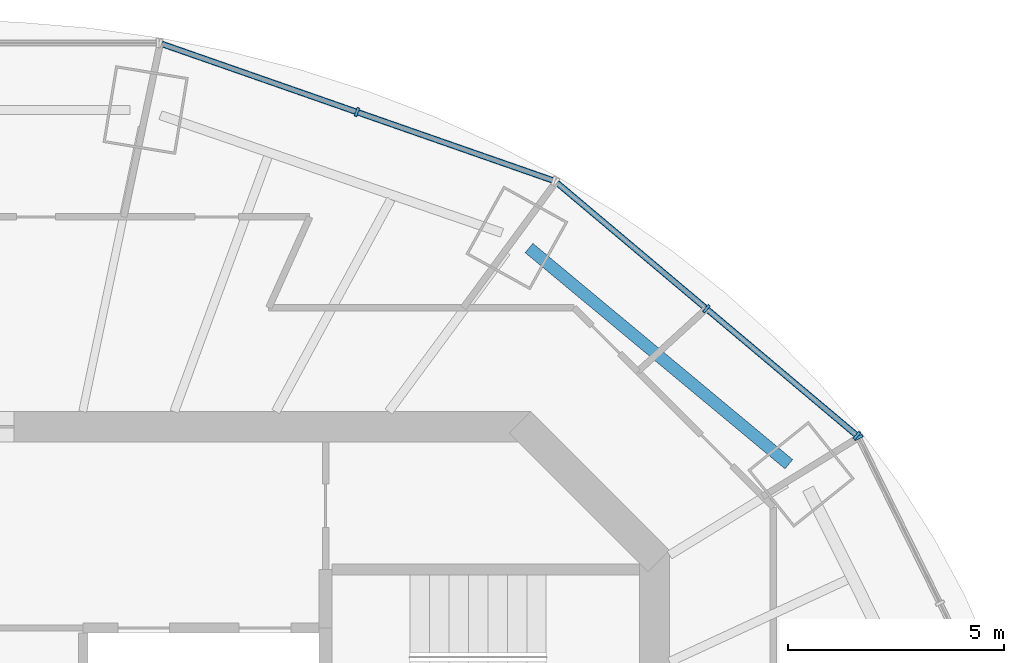
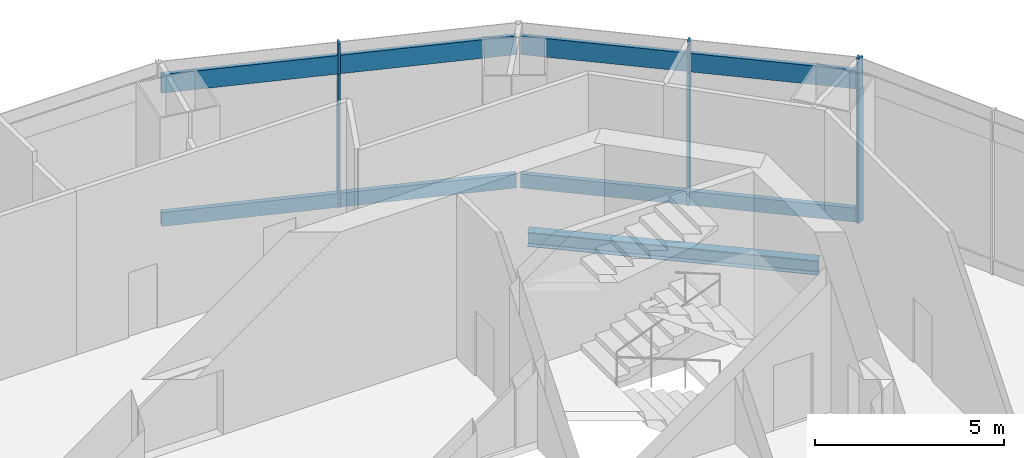
# One storey, part 6 of 13: 12 members, 1 beam, 6 elements without a shape of their own.
"""IFC4 building model written with IfcOpenShell, lengths in metres."""

from ifc_helpers import new_model, si_unit, direction, frame, origin, origin_2d, place, context, subcontext, project, spatial, rectangle, i_section, extrude, material, material_profile, profile_set, type_object, element, aggregate, save


model = new_model("IFC4")

# Units and contexts
model_context = context("Model", 3, precision=1e-05, world=origin(), true_north=direction((0.0, 1.0)))
body_context = subcontext(model_context, "Body", "Model", "MODEL_VIEW")
ifc_project = project(units=[si_unit("LENGTHUNIT", "METRE"), si_unit("AREAUNIT", "SQUARE_METRE"), si_unit("VOLUMEUNIT", "CUBIC_METRE"), si_unit("PLANEANGLEUNIT", "RADIAN"), si_unit("MASSUNIT", "GRAM", prefix="KILO")], contexts=[model_context])

# Site, building, storey
site_placement = place(None, origin())
site = spatial("IfcSite", under=ifc_project, at=site_placement, CompositionType="ELEMENT")
building_placement = place(site_placement, origin())
building = spatial("IfcBuilding", under=site, at=building_placement, Name="Marenthal Gate Tower", CompositionType="ELEMENT")
storey_placement = place(building_placement, frame((0.0, 0.0, 401.949951171875)))
storey = spatial("IfcBuildingStorey", under=building, at=storey_placement, Name="L91", CompositionType="ELEMENT", Elevation=401.949951171875)

# Curtain wall, member
ifc_material_1 = material(Name="Aluminium and glass", Category="aluminium")
curtain_wall_type_1 = type_object("IfcCurtainWallType", Name="Curtain wall crown clad", PredefinedType="NOTDEFINED", material=ifc_material_1)
curtain_wall_1_placement = place(storey_placement, origin())
curtain_wall_1 = element("IfcCurtainWall", 1, at=curtain_wall_1_placement, inside=storey, type_object=curtain_wall_type_1, Name="Curtain wall L91 bay 1 head band", PredefinedType="NOTDEFINED")
ifc_material_2 = material(Name="Aluminium", Category="aluminium")
ifc_material_profile_1 = material_profile(ifc_material_2, rectangle(XDim=0.199951171875, YDim=0.06005859375, at=origin_2d()), Name="60x200 aluminium mullion")
ifc_profile_set_1 = profile_set([ifc_material_profile_1], Name="Aluminium")
member_type_1 = type_object("IfcMemberType", Name="Mullion 60x200 crown clad", PredefinedType="MULLION", material=ifc_profile_set_1)
member_1_placement = place(storey_placement, frame((20.7158203125, 12.751220703125, 4.300048828125), z_axis=(0.0, 0.0, 1.0), x_axis=(-0.897385793576, -0.441246798842, 0.0)))
member_1 = element("IfcMember", 2, at=member_1_placement, type_object=member_type_1, Name="Mullion L91 bay 1.3", PredefinedType="MULLION", context=body_context, shape_type="SweptSolid", body=[
    extrude(rectangle(XDim=0.199951171875, YDim=0.06005859375, at=origin_2d()), origin(), (0.0, 0.0, 1.0), 1.0),
])
aggregate(curtain_wall_1, [member_1])

# Curtain wall, members
curtain_wall_2_placement = place(storey_placement, origin())
curtain_wall_2 = element("IfcCurtainWall", 3, at=curtain_wall_2_placement, inside=storey, type_object=curtain_wall_type_1, Name="Curtain wall L91 bay 2 head band", PredefinedType="NOTDEFINED")
member_2_placement = place(storey_placement, frame((20.6796875, 12.79736328125, 4.300048828125), z_axis=(0.0, 0.0, 1.0), x_axis=(-0.644265226944, -0.764802142616, 0.0)))
member_2 = element("IfcMember", 4, at=member_2_placement, type_object=member_type_1, Name="Mullion L91 bay 2.1", PredefinedType="MULLION", context=body_context, shape_type="SweptSolid", body=[
    extrude(rectangle(XDim=0.199951171875, YDim=0.06005859375, at=origin_2d()), origin(), (0.0, 0.0, 1.0), 1.0),
])
member_3_placement = place(storey_placement, frame((17.201416015625, 15.7275390625, 4.300048828125), z_axis=(0.0, 0.0, 1.0), x_axis=(-0.644265226944, -0.764802142616, 0.0)))
member_3 = element("IfcMember", 5, at=member_3_placement, type_object=member_type_1, Name="Mullion L91 bay 2.2", PredefinedType="MULLION", context=body_context, shape_type="SweptSolid", body=[
    extrude(rectangle(XDim=0.199951171875, YDim=0.06005859375, at=origin_2d()), origin(), (0.0, 0.0, 1.0), 1.0),
])

# Curtain wall, member
curtain_wall_3_placement = place(storey_placement, origin())
curtain_wall_3 = element("IfcCurtainWall", 6, at=curtain_wall_3_placement, inside=storey, type_object=curtain_wall_type_1, Name="Curtain wall L91 bay 3 head band", PredefinedType="NOTDEFINED")
member_4_placement = place(storey_placement, frame((9.1259765625, 20.27294921875, 4.300048828125), z_axis=(0.0, 0.0, 1.0), x_axis=(-0.329453888639, -0.944171666203, 0.0)))
member_4 = element("IfcMember", 7, at=member_4_placement, type_object=member_type_1, Name="Mullion L91 bay 3.2", PredefinedType="MULLION", context=body_context, shape_type="SweptSolid", body=[
    extrude(rectangle(XDim=0.199951171875, YDim=0.06005859375, at=origin_2d()), origin(), (0.0, 0.0, 1.0), 1.0),
])

ifc_material_3 = material(Name="Aluminium and glass", Category="aluminium")
curtain_wall_type_2 = type_object("IfcCurtainWallType", Name="Curtain wall observation", PredefinedType="NOTDEFINED", material=ifc_material_3)
curtain_wall_4_placement = place(storey_placement, origin())
curtain_wall_4 = element("IfcCurtainWall", 8, at=curtain_wall_4_placement, inside=storey, type_object=curtain_wall_type_2, Name="Curtain wall L91 bay 1", PredefinedType="NOTDEFINED")
ifc_material_4 = material(Name="Aluminium", Category="aluminium")
ifc_material_profile_2 = material_profile(ifc_material_4, rectangle(XDim=0.219970703125, YDim=0.070068359375, at=origin_2d()), Name="70x220 aluminium mullion")
ifc_profile_set_2 = profile_set([ifc_material_profile_2], Name="Aluminium")
member_type_2 = type_object("IfcMemberType", Name="Mullion 70x220 observation", PredefinedType="MULLION", material=ifc_profile_set_2)
member_5_placement = place(storey_placement, frame((20.7158203125, 12.751220703125, 0.0), z_axis=(0.0, 0.0, 1.0), x_axis=(-0.897385793576, -0.441246798842, 0.0)))
member_5 = element("IfcMember", 9, at=member_5_placement, type_object=member_type_2, Name="Mullion L91 bay 1.3", PredefinedType="MULLION", context=body_context, shape_type="SweptSolid", body=[
    extrude(rectangle(XDim=0.219970703125, YDim=0.070068359375, at=origin_2d()), origin(), (0.0, 0.0, 1.0), 4.300048828125),
])
aggregate(curtain_wall_4, [member_5])

# Curtain wall, members
curtain_wall_5_placement = place(storey_placement, origin())
curtain_wall_5 = element("IfcCurtainWall", 10, at=curtain_wall_5_placement, inside=storey, type_object=curtain_wall_type_2, Name="Curtain wall L91 bay 2", PredefinedType="NOTDEFINED")
member_6_placement = place(storey_placement, frame((20.6796875, 12.79736328125, 0.0), z_axis=(0.0, 0.0, 1.0), x_axis=(-0.644265226944, -0.764802142616, 0.0)))
member_6 = element("IfcMember", 11, at=member_6_placement, type_object=member_type_2, Name="Mullion L91 bay 2.1", PredefinedType="MULLION", context=body_context, shape_type="SweptSolid", body=[
    extrude(rectangle(XDim=0.219970703125, YDim=0.070068359375, at=origin_2d()), origin(), (0.0, 0.0, 1.0), 4.300048828125),
])
member_7_placement = place(storey_placement, frame((17.201416015625, 15.7275390625, 0.0), z_axis=(0.0, 0.0, 1.0), x_axis=(-0.644265226944, -0.764802142616, 0.0)))
member_7 = element("IfcMember", 12, at=member_7_placement, type_object=member_type_2, Name="Mullion L91 bay 2.2", PredefinedType="MULLION", context=body_context, shape_type="SweptSolid", body=[
    extrude(rectangle(XDim=0.219970703125, YDim=0.070068359375, at=origin_2d()), origin(), (0.0, 0.0, 1.0), 4.300048828125),
])

# Curtain wall, member
curtain_wall_6_placement = place(storey_placement, origin())
curtain_wall_6 = element("IfcCurtainWall", 13, at=curtain_wall_6_placement, inside=storey, type_object=curtain_wall_type_2, Name="Curtain wall L91 bay 3", PredefinedType="NOTDEFINED")
member_8_placement = place(storey_placement, frame((9.1259765625, 20.27294921875, 0.0), z_axis=(0.0, 0.0, 1.0), x_axis=(-0.329453888639, -0.944171666203, 0.0)))
member_8 = element("IfcMember", 14, at=member_8_placement, type_object=member_type_2, Name="Mullion L91 bay 3.2", PredefinedType="MULLION", context=body_context, shape_type="SweptSolid", body=[
    extrude(rectangle(XDim=0.219970703125, YDim=0.070068359375, at=origin_2d()), origin(), (0.0, 0.0, 1.0), 4.300048828125),
])

# Member
ifc_material_5 = material(Name="Aluminium", Category="aluminium")
ifc_material_profile_3 = material_profile(ifc_material_5, rectangle(XDim=0.1201171875, YDim=0.60009765625, at=origin_2d()), Name="120x600 aluminium transom")
ifc_profile_set_3 = profile_set([ifc_material_profile_3], Name="Aluminium")
member_type_3 = type_object("IfcMemberType", Name="Transom 120x600 crown clad", PredefinedType="USERDEFINED", material=ifc_profile_set_3)
member_9_placement = place(storey_placement, frame((20.65673828125, 12.816650390625, 4.60009765625), z_axis=(-0.764788567143, 0.644281341937, 0.0), x_axis=(-0.644281341937, -0.764788567143, 0.0)))
member_9 = element("IfcMember", 15, at=member_9_placement, type_object=member_type_3, Name="Transom L91 bay 2", ObjectType="TRANSOM", PredefinedType="USERDEFINED", context=body_context, shape_type="SweptSolid", body=[
    extrude(rectangle(XDim=0.1201171875, YDim=0.60009765625, at=origin_2d()), origin(), (0.0, 0.0, 1.0), 9.03564453125),
])

aggregate(curtain_wall_2, [member_2, member_3, member_9])

member_10_placement = place(storey_placement, frame((13.643798828125, 18.696533203125, 4.60009765625), z_axis=(-0.944174901713, 0.329444615945, 0.0), x_axis=(-0.329444615945, -0.944174901713, 0.0)))
member_10 = element("IfcMember", 16, at=member_10_placement, type_object=member_type_3, Name="Transom L91 bay 3", ObjectType="TRANSOM", PredefinedType="USERDEFINED", context=body_context, shape_type="SweptSolid", body=[
    extrude(rectangle(XDim=0.1201171875, YDim=0.60009765625, at=origin_2d()), origin(), (0.0, 0.0, 1.0), 9.570068359375),
])

aggregate(curtain_wall_3, [member_4, member_10])

ifc_material_6 = material(Name="Aluminium", Category="aluminium")
ifc_material_profile_4 = material_profile(ifc_material_6, rectangle(XDim=0.139892578125, YDim=0.449951171875, at=origin_2d()), Name="140x450 aluminium transom")
ifc_profile_set_4 = profile_set([ifc_material_profile_4], Name="Aluminium")
member_type_4 = type_object("IfcMemberType", Name="Transom 140x450 observation", PredefinedType="USERDEFINED", material=ifc_profile_set_4)
member_11_placement = place(storey_placement, frame((20.653076171875, 12.820068359375, 0.22509765625), z_axis=(-0.764811585379, 0.644254017349, 0.0), x_axis=(-0.644254017349, -0.764811585379, 0.0)))
member_11 = element("IfcMember", 17, at=member_11_placement, type_object=member_type_4, Name="Transom L91 bay 2", ObjectType="TRANSOM", PredefinedType="USERDEFINED", context=body_context, shape_type="SweptSolid", body=[
    extrude(rectangle(XDim=0.139892578125, YDim=0.449951171875, at=origin_2d()), origin(), (0.0, 0.0, 1.0), 9.02587890625),
])

aggregate(curtain_wall_5, [member_6, member_7, member_11])

member_12_placement = place(storey_placement, frame((13.638916015625, 18.6982421875, 0.22509765625), z_axis=(-0.944167299887, 0.329466401662, 0.0), x_axis=(-0.329466401662, -0.944167299887, 0.0)))
member_12 = element("IfcMember", 18, at=member_12_placement, type_object=member_type_4, Name="Transom L91 bay 3", ObjectType="TRANSOM", PredefinedType="USERDEFINED", context=body_context, shape_type="SweptSolid", body=[
    extrude(rectangle(XDim=0.139892578125, YDim=0.449951171875, at=origin_2d()), origin(), (0.0, 0.0, 1.0), 9.559814453125),
])

aggregate(curtain_wall_6, [member_8, member_12])

# Beam
ifc_material_7 = material(Name="Steel S355", Category="steel")
ifc_material_profile_5 = material_profile(ifc_material_7, i_section(OverallWidth=0.279052734375, OverallDepth=0.4619140625, WebThickness=0.0107421875, FlangeThickness=0.017333984375, FilletRadius=0.010009765625, at=origin_2d()), Name="W460X113")
ifc_profile_set_5 = profile_set([ifc_material_profile_5], Name="Steel S355")
beam_type = type_object("IfcBeamType", Name="W460X113 beam", PredefinedType="BEAM", material=ifc_profile_set_5)
beam_placement = place(storey_placement, frame((19.106689453125, 12.13525390625, -0.48095703125), z_axis=(-0.768754019675, 0.63954457017, 0.0), x_axis=(-0.63954457017, -0.768754019675, 0.0)))
element("IfcBeam", 19, at=beam_placement, inside=storey, type_object=beam_type, Name="BM-L91-39", PredefinedType="BEAM", context=body_context, shape_type="SweptSolid", body=[
    extrude(i_section(OverallWidth=0.279052734375, OverallDepth=0.4619140625, WebThickness=0.0107421875, FlangeThickness=0.017333984375, FilletRadius=0.010009765625, at=origin_2d()), origin(), (0.0, 0.0, 1.0), 7.809326171875),
])

save(model, "model.ifc")
